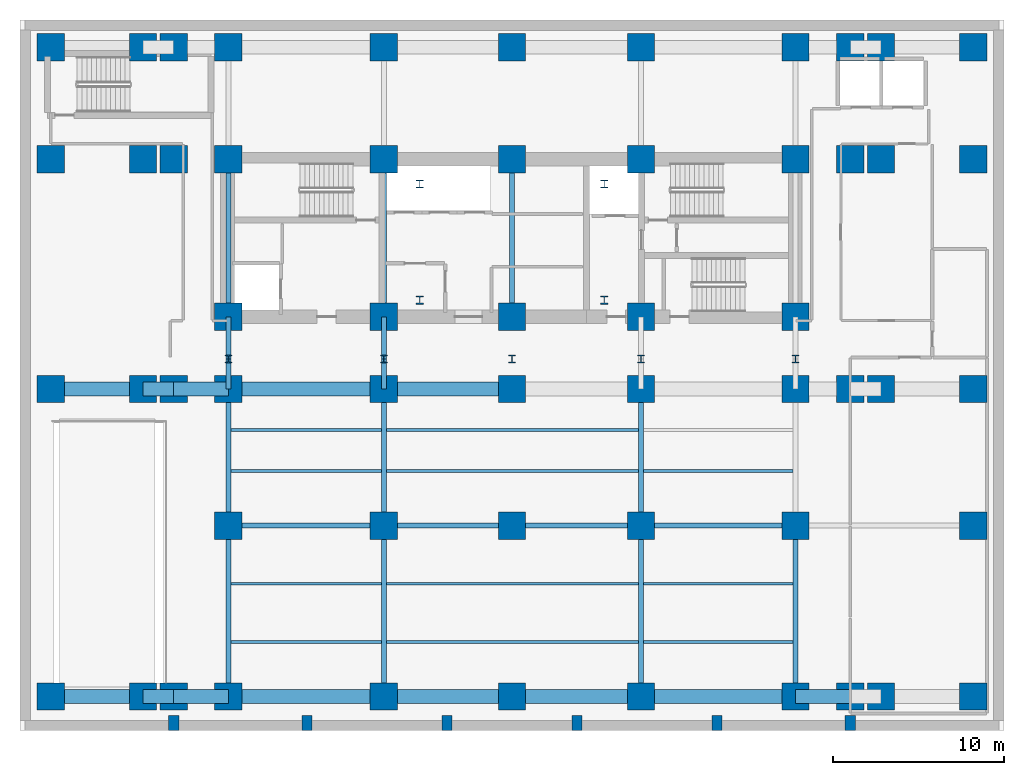
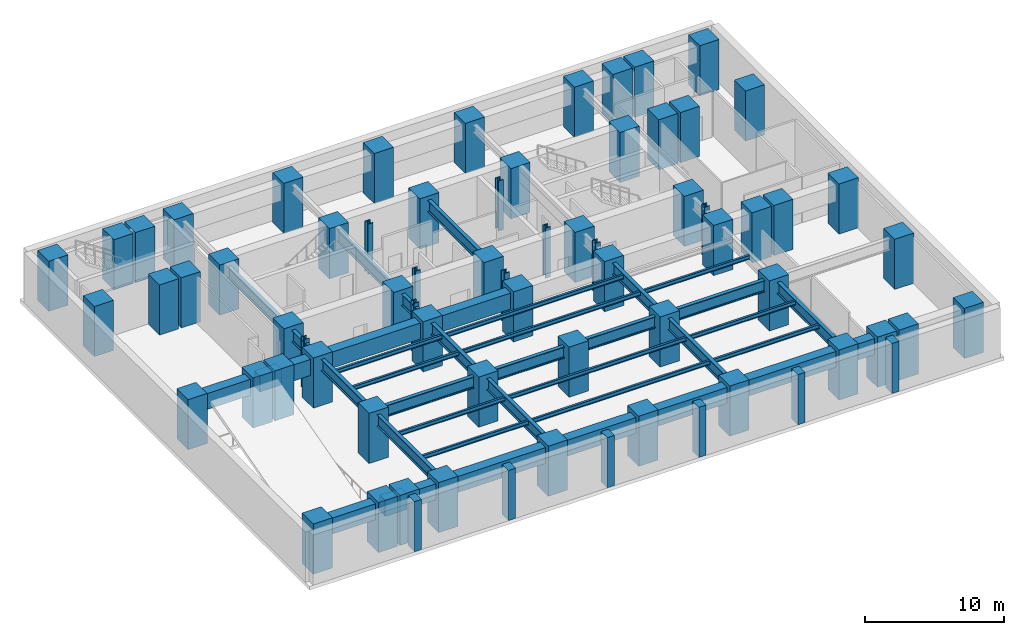
# One storey, part 1 of 8: 70 columns, 41 beams.
"""IFC4 building model written with IfcOpenShell, lengths in metres."""

from ifc_helpers import new_model, si_unit, direction, frame, origin, origin_2d, place, context, subcontext, project, spatial, rectangle, i_section, extrude, material, material_profile, profile_set, type_object, element, save


model = new_model("IFC4")

# Units and contexts
model_context = context("Model", 3, precision=1e-05, world=origin(), true_north=direction((0.0, 1.0)))
body_context = subcontext(model_context, "Body", "Model", "MODEL_VIEW")
ifc_project = project(units=[si_unit("LENGTHUNIT", "METRE"), si_unit("AREAUNIT", "SQUARE_METRE"), si_unit("VOLUMEUNIT", "CUBIC_METRE"), si_unit("PLANEANGLEUNIT", "RADIAN"), si_unit("MASSUNIT", "GRAM", prefix="KILO")], contexts=[model_context])

# Site, building, storey
site_placement = place(None, origin())
site = spatial("IfcSite", under=ifc_project, at=site_placement, CompositionType="ELEMENT")
building_placement = place(site_placement, origin())
building = spatial("IfcBuilding", under=site, at=building_placement, Name="Zarnavel Station Tower", CompositionType="ELEMENT")
storey_placement = place(building_placement, frame((0.0, 0.0, -4.39990234375)))
storey = spatial("IfcBuildingStorey", under=building, at=storey_placement, Name="B01", CompositionType="ELEMENT", Elevation=-4.39990234375)

# Columns
ifc_material_1 = material(Name="Steel S460M", Category="steel")
ifc_material_profile_1 = material_profile(ifc_material_1, i_section(OverallWidth=0.41796875, OverallDepth=0.48095703125, WebThickness=0.04345703125, FlangeThickness=0.068115234375, FilletRadius=0.014892578125, at=origin_2d()), Name="HD400x677")
ifc_profile_set_1 = profile_set([ifc_material_profile_1], Name="Steel S460M")
column_type_1 = type_object("IfcColumnType", Name="IC_HD677", PredefinedType="COLUMN", material=ifc_profile_set_1)
for number, where, z_axis, x_axis, name in (
    (1, (23.39990234375, 28.800048828125, 0.0), (0.0, 0.0, 1.0), (1.0, 0.0, 0.0), "B01 Mast Spine Column 1"),
    (2, (34.199951171875, 28.800048828125, 0.0), (0.0, 0.0, 1.0), (1.0, 0.0, 0.0), "B01 Mast Spine Column 2"),
    (3, (34.199951171875, 35.60009765625, 0.0), (0.0, 0.0, 1.0), (1.0, 0.0, 0.0), "B01 Mast Spine Column 3"),
    (4, (23.39990234375, 35.60009765625, 0.0), (0.0, 0.0, 1.0), (1.0, 0.0, 0.0), "B01 Mast Spine Column 4"),
    (5, (12.199951171875, 25.35009765625, 0.0), (0.0, 0.0, 1.0), (1.0, 0.0, 0.0), "B01 Inner Spine Column 1"),
    (6, (21.300048828125, 25.35009765625, 0.0), (0.0, 0.0, 1.0), (1.0, 0.0, 0.0), "B01 Inner Spine Column 2"),
    (7, (28.800048828125, 25.35009765625, 0.0), (0.0, 0.0, 1.0), (1.0, 0.0, 0.0), "B01 Inner Spine Column 3"),
    (8, (36.35009765625, 25.35009765625, 0.0), (0.0, 0.0, 1.0), (1.0, 0.0, 0.0), "B01 Inner Spine Column 4"),
    (9, (45.39990234375, 25.35009765625, 0.0), (0.0, 0.0, 1.0), (1.0, 0.0, 0.0), "B01 Inner Spine Column 5"),
):
    element("IfcColumn", number, at=place(storey_placement, frame(where, z_axis=z_axis, x_axis=x_axis)), inside=storey, type_object=column_type_1, Name=name, PredefinedType="COLUMN", context=body_context, shape_type="SweptSolid", body=[
        extrude(i_section(OverallWidth=0.41796875, OverallDepth=0.48095703125, WebThickness=0.04345703125, FlangeThickness=0.068115234375, FilletRadius=0.014892578125, at=origin_2d()), origin(), (0.0, 0.0, 1.0), 4.39990234375),
    ])
ifc_material_2 = material(Name="Concrete C60/75", Category="concrete")
ifc_material_profile_2 = material_profile(ifc_material_2, rectangle(XDim=1.60009765625, YDim=1.60009765625, at=origin_2d()), Name="RC1600x1600")
ifc_profile_set_2 = profile_set([ifc_material_profile_2], Name="Concrete C60/75")
column_type_2 = type_object("IfcColumnType", Name="IC_RC1600", PredefinedType="COLUMN", material=ifc_profile_set_2)
for number, where, z_axis, x_axis, name in (
    (10, (12.199951171875, 27.820068359375, 0.0), (0.0, 0.0, 1.0), (1.0, 0.0, 0.0), "B01 Core Spine Column 1-1"),
    (11, (12.199951171875, 37.050048828125, 0.0), (0.0, 0.0, 1.0), (1.0, 0.0, 0.0), "B01 Core Spine Column 1-2"),
    (12, (21.300048828125, 27.820068359375, 0.0), (0.0, 0.0, 1.0), (1.0, 0.0, 0.0), "B01 Core Spine Column 2-1"),
    (13, (21.300048828125, 37.050048828125, 0.0), (0.0, 0.0, 1.0), (1.0, 0.0, 0.0), "B01 Core Spine Column 2-2"),
    (14, (28.800048828125, 27.820068359375, 0.0), (0.0, 0.0, 1.0), (1.0, 0.0, 0.0), "B01 Core Spine Column 3-1"),
    (15, (28.800048828125, 37.050048828125, 0.0), (0.0, 0.0, 1.0), (1.0, 0.0, 0.0), "B01 Core Spine Column 3-2"),
    (16, (36.35009765625, 27.820068359375, 0.0), (0.0, 0.0, 1.0), (1.0, 0.0, 0.0), "B01 Core Spine Column 4-1"),
    (17, (36.35009765625, 37.050048828125, 0.0), (0.0, 0.0, 1.0), (1.0, 0.0, 0.0), "B01 Core Spine Column 4-2"),
    (18, (45.39990234375, 27.820068359375, 0.0), (0.0, 0.0, 1.0), (1.0, 0.0, 0.0), "B01 Core Spine Column 5-1"),
    (19, (45.39990234375, 37.050048828125, 0.0), (0.0, 0.0, 1.0), (1.0, 0.0, 0.0), "B01 Core Spine Column 5-2"),
    (20, (1.800048828125, 5.60009765625, 0.0), (0.0, 0.0, 1.0), (1.0, 0.0, 0.0), "B01 Podium Column 1-1"),
    (21, (1.800048828125, 23.60009765625, 0.0), (0.0, 0.0, 1.0), (1.0, 0.0, 0.0), "B01 Podium Column 1-3"),
    (22, (1.800048828125, 37.050048828125, 0.0), (0.0, 0.0, 1.0), (1.0, 0.0, 0.0), "B01 Podium Column 1-4"),
    (23, (1.800048828125, 43.60009765625, 0.0), (0.0, 0.0, 1.0), (1.0, 0.0, 0.0), "B01 Podium Column 1-5"),
    (24, (7.199951171875, 5.60009765625, 0.0), (0.0, 0.0, 1.0), (1.0, 0.0, 0.0), "B01 Podium Column 2-1"),
    (25, (7.199951171875, 23.60009765625, 0.0), (0.0, 0.0, 1.0), (1.0, 0.0, 0.0), "B01 Podium Column 2-3"),
    (26, (7.199951171875, 37.050048828125, 0.0), (0.0, 0.0, 1.0), (1.0, 0.0, 0.0), "B01 Podium Column 2-4"),
    (27, (7.199951171875, 43.60009765625, 0.0), (0.0, 0.0, 1.0), (1.0, 0.0, 0.0), "B01 Podium Column 2-5"),
    (28, (9.0, 5.60009765625, 0.0), (0.0, 0.0, 1.0), (1.0, 0.0, 0.0), "B01 Podium Column 3-1"),
    (29, (9.0, 23.60009765625, 0.0), (0.0, 0.0, 1.0), (1.0, 0.0, 0.0), "B01 Podium Column 3-3"),
    (30, (9.0, 37.050048828125, 0.0), (0.0, 0.0, 1.0), (1.0, 0.0, 0.0), "B01 Podium Column 3-4"),
    (31, (9.0, 43.60009765625, 0.0), (0.0, 0.0, 1.0), (1.0, 0.0, 0.0), "B01 Podium Column 3-5"),
    (32, (12.199951171875, 5.60009765625, 0.0), (0.0, 0.0, 1.0), (1.0, 0.0, 0.0), "B01 Podium Column 4-1"),
    (33, (12.199951171875, 15.60009765625, 0.0), (0.0, 0.0, 1.0), (1.0, 0.0, 0.0), "B01 Podium Column 4-2"),
    (34, (12.199951171875, 23.60009765625, 0.0), (0.0, 0.0, 1.0), (1.0, 0.0, 0.0), "B01 Podium Column 4-3"),
    (35, (12.199951171875, 43.60009765625, 0.0), (0.0, 0.0, 1.0), (1.0, 0.0, 0.0), "B01 Podium Column 4-5"),
    (36, (21.300048828125, 5.60009765625, 0.0), (0.0, 0.0, 1.0), (1.0, 0.0, 0.0), "B01 Podium Column 5-1"),
    (37, (21.300048828125, 15.60009765625, 0.0), (0.0, 0.0, 1.0), (1.0, 0.0, 0.0), "B01 Podium Column 5-2"),
    (38, (21.300048828125, 23.60009765625, 0.0), (0.0, 0.0, 1.0), (1.0, 0.0, 0.0), "B01 Podium Column 5-3"),
    (39, (21.300048828125, 43.60009765625, 0.0), (0.0, 0.0, 1.0), (1.0, 0.0, 0.0), "B01 Podium Column 5-5"),
    (40, (28.800048828125, 5.60009765625, 0.0), (0.0, 0.0, 1.0), (1.0, 0.0, 0.0), "B01 Podium Column 6-1"),
    (41, (28.800048828125, 15.60009765625, 0.0), (0.0, 0.0, 1.0), (1.0, 0.0, 0.0), "B01 Podium Column 6-2"),
    (42, (28.800048828125, 23.60009765625, 0.0), (0.0, 0.0, 1.0), (1.0, 0.0, 0.0), "B01 Podium Column 6-3"),
    (43, (28.800048828125, 43.60009765625, 0.0), (0.0, 0.0, 1.0), (1.0, 0.0, 0.0), "B01 Podium Column 6-5"),
    (44, (36.35009765625, 5.60009765625, 0.0), (0.0, 0.0, 1.0), (1.0, 0.0, 0.0), "B01 Podium Column 7-1"),
    (45, (36.35009765625, 15.60009765625, 0.0), (0.0, 0.0, 1.0), (1.0, 0.0, 0.0), "B01 Podium Column 7-2"),
    (46, (36.35009765625, 23.60009765625, 0.0), (0.0, 0.0, 1.0), (1.0, 0.0, 0.0), "B01 Podium Column 7-3"),
    (47, (36.35009765625, 43.60009765625, 0.0), (0.0, 0.0, 1.0), (1.0, 0.0, 0.0), "B01 Podium Column 7-5"),
    (48, (45.39990234375, 5.60009765625, 0.0), (0.0, 0.0, 1.0), (1.0, 0.0, 0.0), "B01 Podium Column 8-1"),
    (49, (45.39990234375, 15.60009765625, 0.0), (0.0, 0.0, 1.0), (1.0, 0.0, 0.0), "B01 Podium Column 8-2"),
    (50, (45.39990234375, 23.60009765625, 0.0), (0.0, 0.0, 1.0), (1.0, 0.0, 0.0), "B01 Podium Column 8-3"),
    (51, (45.39990234375, 43.60009765625, 0.0), (0.0, 0.0, 1.0), (1.0, 0.0, 0.0), "B01 Podium Column 8-5"),
    (52, (48.60009765625, 5.60009765625, 0.0), (0.0, 0.0, 1.0), (1.0, 0.0, 0.0), "B01 Podium Column 9-1"),
    (53, (48.60009765625, 23.60009765625, 0.0), (0.0, 0.0, 1.0), (1.0, 0.0, 0.0), "B01 Podium Column 9-3"),
    (54, (48.60009765625, 37.050048828125, 0.0), (0.0, 0.0, 1.0), (1.0, 0.0, 0.0), "B01 Podium Column 9-4"),
    (55, (48.60009765625, 43.60009765625, 0.0), (0.0, 0.0, 1.0), (1.0, 0.0, 0.0), "B01 Podium Column 9-5"),
    (56, (50.39990234375, 5.60009765625, 0.0), (0.0, 0.0, 1.0), (1.0, 0.0, 0.0), "B01 Podium Column 10-1"),
    (57, (50.39990234375, 23.60009765625, 0.0), (0.0, 0.0, 1.0), (1.0, 0.0, 0.0), "B01 Podium Column 10-3"),
    (58, (50.39990234375, 37.050048828125, 0.0), (0.0, 0.0, 1.0), (1.0, 0.0, 0.0), "B01 Podium Column 10-4"),
    (59, (50.39990234375, 43.60009765625, 0.0), (0.0, 0.0, 1.0), (1.0, 0.0, 0.0), "B01 Podium Column 10-5"),
    (60, (55.800048828125, 5.60009765625, 0.0), (0.0, 0.0, 1.0), (1.0, 0.0, 0.0), "B01 Podium Column 11-1"),
    (61, (55.800048828125, 15.60009765625, 0.0), (0.0, 0.0, 1.0), (1.0, 0.0, 0.0), "B01 Podium Column 11-2"),
    (62, (55.800048828125, 23.60009765625, 0.0), (0.0, 0.0, 1.0), (1.0, 0.0, 0.0), "B01 Podium Column 11-3"),
    (63, (55.800048828125, 37.050048828125, 0.0), (0.0, 0.0, 1.0), (1.0, 0.0, 0.0), "B01 Podium Column 11-4"),
    (64, (55.800048828125, 43.60009765625, 0.0), (0.0, 0.0, 1.0), (1.0, 0.0, 0.0), "B01 Podium Column 11-5"),
):
    element("IfcColumn", number, at=place(storey_placement, frame(where, z_axis=z_axis, x_axis=x_axis)), inside=storey, type_object=column_type_2, Name=name, PredefinedType="COLUMN", context=body_context, shape_type="SweptSolid", body=[
        extrude(rectangle(XDim=1.60009765625, YDim=1.60009765625, at=origin_2d()), origin(), (0.0, 0.0, 1.0), 4.39990234375),
    ])
ifc_material_3 = material(Name="Precast concrete C45/55", Category="concrete")
ifc_material_profile_3 = material_profile(ifc_material_3, rectangle(XDim=0.60009765625, YDim=0.89990234375, at=origin_2d()), Name="RC600x900")
ifc_profile_set_3 = profile_set([ifc_material_profile_3], Name="Precast concrete C45/55")
column_type_3 = type_object("IfcColumnType", Name="PL_BASALT", PredefinedType="PILASTER", material=ifc_profile_set_3)
for number, where, z_axis, x_axis, name in (
    (65, (9.0, 4.050048828125, 0.0), (0.0, 0.0, 1.0), (1.0, 0.0, 0.0), "B01 Basalt Facade Pilaster S1"),
    (66, (16.800048828125, 4.050048828125, 0.0), (0.0, 0.0, 1.0), (1.0, 0.0, 0.0), "B01 Basalt Facade Pilaster S2"),
    (67, (25.0, 4.050048828125, 0.0), (0.0, 0.0, 1.0), (1.0, 0.0, 0.0), "B01 Basalt Facade Pilaster S3"),
    (68, (32.60009765625, 4.050048828125, 0.0), (0.0, 0.0, 1.0), (1.0, 0.0, 0.0), "B01 Basalt Facade Pilaster S4"),
    (69, (40.800048828125, 4.050048828125, 0.0), (0.0, 0.0, 1.0), (1.0, 0.0, 0.0), "B01 Basalt Facade Pilaster S5"),
    (70, (48.60009765625, 4.050048828125, 0.0), (0.0, 0.0, 1.0), (1.0, 0.0, 0.0), "B01 Basalt Facade Pilaster S6"),
):
    element("IfcColumn", number, at=place(storey_placement, frame(where, z_axis=z_axis, x_axis=x_axis)), inside=storey, type_object=column_type_3, Name=name, PredefinedType="PILASTER", context=body_context, shape_type="SweptSolid", body=[
        extrude(rectangle(XDim=0.60009765625, YDim=0.89990234375, at=origin_2d()), origin(), (0.0, 0.0, 1.0), 4.39990234375),
    ])

# Beams
ifc_material_4 = material(Name="Concrete C45/55", Category="concrete")
ifc_material_profile_4 = material_profile(ifc_material_4, rectangle(XDim=0.800048828125, YDim=1.39990234375, at=origin_2d()), Name="RC800x1400")
ifc_profile_set_4 = profile_set([ifc_material_profile_4], Name="Concrete C45/55")
beam_type_1 = type_object("IfcBeamType", Name="FG_RC800x1400", PredefinedType="USERDEFINED", material=ifc_profile_set_4)
beam_1_placement = place(storey_placement, frame((1.800048828125, 5.60009765625, 3.349853515625), z_axis=(1.0, 0.0, 0.0), x_axis=(0.0, 1.0, 0.0)))
element("IfcBeam", 71, at=beam_1_placement, inside=storey, type_object=beam_type_1, Name="B01 EW Frame Girder 1-1", ObjectType="GIRDER", PredefinedType="USERDEFINED", context=body_context, shape_type="SweptSolid", body=[
    extrude(rectangle(XDim=0.800048828125, YDim=1.39990234375, at=origin_2d()), origin(), (0.0, 0.0, 1.0), 5.39990234375),
])
beam_2_placement = place(storey_placement, frame((7.199951171875, 5.60009765625, 3.349853515625), z_axis=(1.0, 0.0, 0.0), x_axis=(0.0, 1.0, 0.0)))
element("IfcBeam", 72, at=beam_2_placement, inside=storey, type_object=beam_type_1, Name="B01 EW Frame Girder 1-2", ObjectType="GIRDER", PredefinedType="USERDEFINED", context=body_context, shape_type="SweptSolid", body=[
    extrude(rectangle(XDim=0.800048828125, YDim=1.39990234375, at=origin_2d()), origin(), (0.0, 0.0, 1.0), 1.800048828125),
])
beam_3_placement = place(storey_placement, frame((9.0, 5.60009765625, 3.349853515625), z_axis=(1.0, 0.0, 0.0), x_axis=(0.0, 1.0, 0.0)))
element("IfcBeam", 73, at=beam_3_placement, inside=storey, type_object=beam_type_1, Name="B01 EW Frame Girder 1-3", ObjectType="GIRDER", PredefinedType="USERDEFINED", context=body_context, shape_type="SweptSolid", body=[
    extrude(rectangle(XDim=0.800048828125, YDim=1.39990234375, at=origin_2d()), origin(), (0.0, 0.0, 1.0), 3.199951171875),
])
beam_4_placement = place(storey_placement, frame((12.199951171875, 5.60009765625, 3.349853515625), z_axis=(1.0, 0.0, 0.0), x_axis=(0.0, 1.0, 0.0)))
element("IfcBeam", 74, at=beam_4_placement, inside=storey, type_object=beam_type_1, Name="B01 EW Frame Girder 1-4", ObjectType="GIRDER", PredefinedType="USERDEFINED", context=body_context, shape_type="SweptSolid", body=[
    extrude(rectangle(XDim=0.800048828125, YDim=1.39990234375, at=origin_2d()), origin(), (0.0, 0.0, 1.0), 9.10009765625),
])
beam_5_placement = place(storey_placement, frame((21.300048828125, 5.60009765625, 3.349853515625), z_axis=(1.0, 0.0, 0.0), x_axis=(0.0, 1.0, 0.0)))
element("IfcBeam", 75, at=beam_5_placement, inside=storey, type_object=beam_type_1, Name="B01 EW Frame Girder 1-5", ObjectType="GIRDER", PredefinedType="USERDEFINED", context=body_context, shape_type="SweptSolid", body=[
    extrude(rectangle(XDim=0.800048828125, YDim=1.39990234375, at=origin_2d()), origin(), (0.0, 0.0, 1.0), 7.5),
])
beam_6_placement = place(storey_placement, frame((28.800048828125, 5.60009765625, 3.349853515625), z_axis=(1.0, 0.0, 0.0), x_axis=(0.0, 1.0, 0.0)))
element("IfcBeam", 76, at=beam_6_placement, inside=storey, type_object=beam_type_1, Name="B01 EW Frame Girder 1-6", ObjectType="GIRDER", PredefinedType="USERDEFINED", context=body_context, shape_type="SweptSolid", body=[
    extrude(rectangle(XDim=0.800048828125, YDim=1.39990234375, at=origin_2d()), origin(), (0.0, 0.0, 1.0), 7.550048828125),
])
beam_7_placement = place(storey_placement, frame((36.35009765625, 5.60009765625, 3.349853515625), z_axis=(1.0, 0.0, 0.0), x_axis=(0.0, 1.0, 0.0)))
element("IfcBeam", 77, at=beam_7_placement, inside=storey, type_object=beam_type_1, Name="B01 EW Frame Girder 1-7", ObjectType="GIRDER", PredefinedType="USERDEFINED", context=body_context, shape_type="SweptSolid", body=[
    extrude(rectangle(XDim=0.800048828125, YDim=1.39990234375, at=origin_2d()), origin(), (0.0, 0.0, 1.0), 9.0498046875),
])
beam_8_placement = place(storey_placement, frame((45.39990234375, 5.60009765625, 3.349853515625), z_axis=(1.0, 0.0, 0.0), x_axis=(0.0, 1.0, 0.0)))
element("IfcBeam", 78, at=beam_8_placement, inside=storey, type_object=beam_type_1, Name="B01 EW Frame Girder 1-8", ObjectType="GIRDER", PredefinedType="USERDEFINED", context=body_context, shape_type="SweptSolid", body=[
    extrude(rectangle(XDim=0.800048828125, YDim=1.39990234375, at=origin_2d()), origin(), (0.0, 0.0, 1.0), 3.2001953125),
])
beam_9_placement = place(storey_placement, frame((1.800048828125, 23.60009765625, 3.349853515625), z_axis=(1.0, 0.0, 0.0), x_axis=(0.0, 1.0, 0.0)))
element("IfcBeam", 79, at=beam_9_placement, inside=storey, type_object=beam_type_1, Name="B01 EW Frame Girder 2-1", ObjectType="GIRDER", PredefinedType="USERDEFINED", context=body_context, shape_type="SweptSolid", body=[
    extrude(rectangle(XDim=0.800048828125, YDim=1.39990234375, at=origin_2d()), origin(), (0.0, 0.0, 1.0), 5.39990234375),
])
beam_10_placement = place(storey_placement, frame((7.199951171875, 23.60009765625, 3.349853515625), z_axis=(1.0, 0.0, 0.0), x_axis=(0.0, 1.0, 0.0)))
element("IfcBeam", 80, at=beam_10_placement, inside=storey, type_object=beam_type_1, Name="B01 EW Frame Girder 2-2", ObjectType="GIRDER", PredefinedType="USERDEFINED", context=body_context, shape_type="SweptSolid", body=[
    extrude(rectangle(XDim=0.800048828125, YDim=1.39990234375, at=origin_2d()), origin(), (0.0, 0.0, 1.0), 1.800048828125),
])
beam_11_placement = place(storey_placement, frame((9.0, 23.60009765625, 3.349853515625), z_axis=(1.0, 0.0, 0.0), x_axis=(0.0, 1.0, 0.0)))
element("IfcBeam", 81, at=beam_11_placement, inside=storey, type_object=beam_type_1, Name="B01 EW Frame Girder 2-3", ObjectType="GIRDER", PredefinedType="USERDEFINED", context=body_context, shape_type="SweptSolid", body=[
    extrude(rectangle(XDim=0.800048828125, YDim=1.39990234375, at=origin_2d()), origin(), (0.0, 0.0, 1.0), 3.199951171875),
])
beam_12_placement = place(storey_placement, frame((12.199951171875, 23.60009765625, 3.349853515625), z_axis=(1.0, 0.0, 0.0), x_axis=(0.0, 1.0, 0.0)))
element("IfcBeam", 82, at=beam_12_placement, inside=storey, type_object=beam_type_1, Name="B01 EW Frame Girder 2-4", ObjectType="GIRDER", PredefinedType="USERDEFINED", context=body_context, shape_type="SweptSolid", body=[
    extrude(rectangle(XDim=0.800048828125, YDim=1.39990234375, at=origin_2d()), origin(), (0.0, 0.0, 1.0), 9.10009765625),
])
beam_13_placement = place(storey_placement, frame((21.300048828125, 23.60009765625, 3.349853515625), z_axis=(1.0, 0.0, 0.0), x_axis=(0.0, 1.0, 0.0)))
element("IfcBeam", 83, at=beam_13_placement, inside=storey, type_object=beam_type_1, Name="B01 EW Frame Girder 2-5", ObjectType="GIRDER", PredefinedType="USERDEFINED", context=body_context, shape_type="SweptSolid", body=[
    extrude(rectangle(XDim=0.800048828125, YDim=1.39990234375, at=origin_2d()), origin(), (0.0, 0.0, 1.0), 7.5),
])
ifc_material_5 = material(Name="Steel S355J2", Category="steel")
ifc_material_profile_5 = material_profile(ifc_material_5, i_section(OverallWidth=0.169921875, OverallDepth=0.360107421875, WebThickness=0.008056640625, FlangeThickness=0.0126953125, FilletRadius=0.01806640625, at=origin_2d()), Name="IPE360")
ifc_profile_set_5 = profile_set([ifc_material_profile_5], Name="Steel S355J2")
beam_type_2 = type_object("IfcBeamType", Name="FJ_IPE360", PredefinedType="JOIST", material=ifc_profile_set_5)
beam_14_placement = place(storey_placement, frame((12.344970703125, 8.800048828125, 3.869873046875), z_axis=(1.0, 0.0, 0.0), x_axis=(0.0, 1.0, 0.0)))
element("IfcBeam", 84, at=beam_14_placement, inside=storey, type_object=beam_type_2, Name="B01 Floor Joist W1", PredefinedType="JOIST", context=body_context, shape_type="SweptSolid", body=[
    extrude(i_section(OverallWidth=0.169921875, OverallDepth=0.360107421875, WebThickness=0.008056640625, FlangeThickness=0.0126953125, FilletRadius=0.01806640625, at=origin_2d()), origin(), (0.0, 0.0, 1.0), 8.81005859375),
])
beam_15_placement = place(storey_placement, frame((21.445068359375, 8.800048828125, 3.869873046875), z_axis=(1.0, 0.0, 0.0), x_axis=(0.0, 1.0, 0.0)))
element("IfcBeam", 85, at=beam_15_placement, inside=storey, type_object=beam_type_2, Name="B01 Floor Joist M1", PredefinedType="JOIST", context=body_context, shape_type="SweptSolid", body=[
    extrude(i_section(OverallWidth=0.169921875, OverallDepth=0.360107421875, WebThickness=0.008056640625, FlangeThickness=0.0126953125, FilletRadius=0.01806640625, at=origin_2d()), origin(), (0.0, 0.0, 1.0), 14.760009765625),
])
beam_16_placement = place(storey_placement, frame((36.4951171875, 8.800048828125, 3.869873046875), z_axis=(1.0, 0.0, 0.0), x_axis=(0.0, 1.0, 0.0)))
element("IfcBeam", 86, at=beam_16_placement, inside=storey, type_object=beam_type_2, Name="B01 Floor Joist E1", PredefinedType="JOIST", context=body_context, shape_type="SweptSolid", body=[
    extrude(i_section(OverallWidth=0.169921875, OverallDepth=0.360107421875, WebThickness=0.008056640625, FlangeThickness=0.0126953125, FilletRadius=0.01806640625, at=origin_2d()), origin(), (0.0, 0.0, 1.0), 8.759765625),
])
beam_17_placement = place(storey_placement, frame((12.344970703125, 12.199951171875, 3.869873046875), z_axis=(1.0, 0.0, 0.0), x_axis=(0.0, 1.0, 0.0)))
element("IfcBeam", 87, at=beam_17_placement, inside=storey, type_object=beam_type_2, Name="B01 Floor Joist W2", PredefinedType="JOIST", context=body_context, shape_type="SweptSolid", body=[
    extrude(i_section(OverallWidth=0.169921875, OverallDepth=0.360107421875, WebThickness=0.008056640625, FlangeThickness=0.0126953125, FilletRadius=0.01806640625, at=origin_2d()), origin(), (0.0, 0.0, 1.0), 8.81005859375),
])
beam_18_placement = place(storey_placement, frame((21.445068359375, 12.199951171875, 3.869873046875), z_axis=(1.0, 0.0, 0.0), x_axis=(0.0, 1.0, 0.0)))
element("IfcBeam", 88, at=beam_18_placement, inside=storey, type_object=beam_type_2, Name="B01 Floor Joist M2", PredefinedType="JOIST", context=body_context, shape_type="SweptSolid", body=[
    extrude(i_section(OverallWidth=0.169921875, OverallDepth=0.360107421875, WebThickness=0.008056640625, FlangeThickness=0.0126953125, FilletRadius=0.01806640625, at=origin_2d()), origin(), (0.0, 0.0, 1.0), 14.760009765625),
])
beam_19_placement = place(storey_placement, frame((36.4951171875, 12.199951171875, 3.869873046875), z_axis=(1.0, 0.0, 0.0), x_axis=(0.0, 1.0, 0.0)))
element("IfcBeam", 89, at=beam_19_placement, inside=storey, type_object=beam_type_2, Name="B01 Floor Joist E2", PredefinedType="JOIST", context=body_context, shape_type="SweptSolid", body=[
    extrude(i_section(OverallWidth=0.169921875, OverallDepth=0.360107421875, WebThickness=0.008056640625, FlangeThickness=0.0126953125, FilletRadius=0.01806640625, at=origin_2d()), origin(), (0.0, 0.0, 1.0), 8.759765625),
])
beam_20_placement = place(storey_placement, frame((12.344970703125, 18.800048828125, 3.869873046875), z_axis=(1.0, 0.0, 0.0), x_axis=(0.0, 1.0, 0.0)))
element("IfcBeam", 90, at=beam_20_placement, inside=storey, type_object=beam_type_2, Name="B01 Floor Joist W3", PredefinedType="JOIST", context=body_context, shape_type="SweptSolid", body=[
    extrude(i_section(OverallWidth=0.169921875, OverallDepth=0.360107421875, WebThickness=0.008056640625, FlangeThickness=0.0126953125, FilletRadius=0.01806640625, at=origin_2d()), origin(), (0.0, 0.0, 1.0), 8.81005859375),
])
beam_21_placement = place(storey_placement, frame((21.445068359375, 18.800048828125, 3.869873046875), z_axis=(1.0, 0.0, 0.0), x_axis=(0.0, 1.0, 0.0)))
element("IfcBeam", 91, at=beam_21_placement, inside=storey, type_object=beam_type_2, Name="B01 Floor Joist M3", PredefinedType="JOIST", context=body_context, shape_type="SweptSolid", body=[
    extrude(i_section(OverallWidth=0.169921875, OverallDepth=0.360107421875, WebThickness=0.008056640625, FlangeThickness=0.0126953125, FilletRadius=0.01806640625, at=origin_2d()), origin(), (0.0, 0.0, 1.0), 14.760009765625),
])
beam_22_placement = place(storey_placement, frame((36.4951171875, 18.800048828125, 3.869873046875), z_axis=(1.0, 0.0, 0.0), x_axis=(0.0, 1.0, 0.0)))
element("IfcBeam", 92, at=beam_22_placement, inside=storey, type_object=beam_type_2, Name="B01 Floor Joist E3", PredefinedType="JOIST", context=body_context, shape_type="SweptSolid", body=[
    extrude(i_section(OverallWidth=0.169921875, OverallDepth=0.360107421875, WebThickness=0.008056640625, FlangeThickness=0.0126953125, FilletRadius=0.01806640625, at=origin_2d()), origin(), (0.0, 0.0, 1.0), 8.759765625),
])
beam_23_placement = place(storey_placement, frame((12.344970703125, 21.199951171875, 3.869873046875), z_axis=(1.0, 0.0, 0.0), x_axis=(0.0, 1.0, 0.0)))
element("IfcBeam", 93, at=beam_23_placement, inside=storey, type_object=beam_type_2, Name="B01 Floor Joist W4", PredefinedType="JOIST", context=body_context, shape_type="SweptSolid", body=[
    extrude(i_section(OverallWidth=0.169921875, OverallDepth=0.360107421875, WebThickness=0.008056640625, FlangeThickness=0.0126953125, FilletRadius=0.01806640625, at=origin_2d()), origin(), (0.0, 0.0, 1.0), 8.81005859375),
])
beam_24_placement = place(storey_placement, frame((21.445068359375, 21.199951171875, 3.869873046875), z_axis=(1.0, 0.0, 0.0), x_axis=(0.0, 1.0, 0.0)))
element("IfcBeam", 94, at=beam_24_placement, inside=storey, type_object=beam_type_2, Name="B01 Floor Joist M4", PredefinedType="JOIST", context=body_context, shape_type="SweptSolid", body=[
    extrude(i_section(OverallWidth=0.169921875, OverallDepth=0.360107421875, WebThickness=0.008056640625, FlangeThickness=0.0126953125, FilletRadius=0.01806640625, at=origin_2d()), origin(), (0.0, 0.0, 1.0), 14.760009765625),
])
ifc_material_6 = material(Name="Steel S460M", Category="steel")
ifc_material_profile_6 = material_profile(ifc_material_6, i_section(OverallWidth=0.302001953125, OverallDepth=1.008056640625, WebThickness=0.02099609375, FlangeThickness=0.0400390625, FilletRadius=0.030029296875, at=origin_2d()), Name="HEM1000")
ifc_profile_set_6 = profile_set([ifc_material_profile_6], Name="Steel S460M")
beam_type_3 = type_object("IfcBeamType", Name="TG_HEM1000", PredefinedType="USERDEFINED", material=ifc_profile_set_6)
for number, where, z_axis, x_axis, name in (
    (95, (12.199951171875, 27.820068359375, 3.5458984375), (0.0, 1.0, 0.0), (-1.0, 0.0, 0.0), "B01 Core Spine Coupling Girder 1"),
    (96, (21.300048828125, 27.820068359375, 3.5458984375), (0.0, 1.0, 0.0), (-1.0, 0.0, 0.0), "B01 Core Spine Coupling Girder 2"),
    (97, (28.800048828125, 27.820068359375, 3.5458984375), (0.0, 1.0, 0.0), (-1.0, 0.0, 0.0), "B01 Core Spine Coupling Girder 3"),
):
    element("IfcBeam", number, at=place(storey_placement, frame(where, z_axis=z_axis, x_axis=x_axis)), inside=storey, type_object=beam_type_3, Name=name, ObjectType="GIRDER", PredefinedType="USERDEFINED", context=body_context, shape_type="SweptSolid", body=[
        extrude(i_section(OverallWidth=0.302001953125, OverallDepth=1.008056640625, WebThickness=0.02099609375, FlangeThickness=0.0400390625, FilletRadius=0.030029296875, at=origin_2d()), origin(), (0.0, 0.0, 1.0), 9.22998046875),
    ])
beam_25_placement = place(storey_placement, frame((12.199951171875, 5.60009765625, 3.5458984375), z_axis=(0.0, 1.0, 0.0), x_axis=(-1.0, 0.0, 0.0)))
element("IfcBeam", 98, at=beam_25_placement, inside=storey, type_object=beam_type_3, Name="B01 NS Girder South 1", ObjectType="GIRDER", PredefinedType="USERDEFINED", context=body_context, shape_type="SweptSolid", body=[
    extrude(i_section(OverallWidth=0.302001953125, OverallDepth=1.008056640625, WebThickness=0.02099609375, FlangeThickness=0.0400390625, FilletRadius=0.030029296875, at=origin_2d()), origin(), (0.0, 0.0, 1.0), 10.0),
])
beam_26_placement = place(storey_placement, frame((12.199951171875, 15.60009765625, 3.5458984375), z_axis=(0.0, 1.0, 0.0), x_axis=(-1.0, 0.0, 0.0)))
element("IfcBeam", 99, at=beam_26_placement, inside=storey, type_object=beam_type_3, Name="B01 NS Girder Mid 1", ObjectType="GIRDER", PredefinedType="USERDEFINED", context=body_context, shape_type="SweptSolid", body=[
    extrude(i_section(OverallWidth=0.302001953125, OverallDepth=1.008056640625, WebThickness=0.02099609375, FlangeThickness=0.0400390625, FilletRadius=0.030029296875, at=origin_2d()), origin(), (0.0, 0.0, 1.0), 8.0),
])
beam_27_placement = place(storey_placement, frame((12.199951171875, 23.60009765625, 3.5458984375), z_axis=(0.0, 1.0, 0.0), x_axis=(-1.0, 0.0, 0.0)))
element("IfcBeam", 100, at=beam_27_placement, inside=storey, type_object=beam_type_3, Name="B01 NS Girder Spine 1", ObjectType="GIRDER", PredefinedType="USERDEFINED", context=body_context, shape_type="SweptSolid", body=[
    extrude(i_section(OverallWidth=0.302001953125, OverallDepth=1.008056640625, WebThickness=0.02099609375, FlangeThickness=0.0400390625, FilletRadius=0.030029296875, at=origin_2d()), origin(), (0.0, 0.0, 1.0), 1.75),
])
beam_28_placement = place(storey_placement, frame((12.199951171875, 25.35009765625, 3.5458984375), z_axis=(0.0, 1.0, 0.0), x_axis=(-1.0, 0.0, 0.0)))
element("IfcBeam", 101, at=beam_28_placement, inside=storey, type_object=beam_type_3, Name="B01 NS Girder Core 1", ObjectType="GIRDER", PredefinedType="USERDEFINED", context=body_context, shape_type="SweptSolid", body=[
    extrude(i_section(OverallWidth=0.302001953125, OverallDepth=1.008056640625, WebThickness=0.02099609375, FlangeThickness=0.0400390625, FilletRadius=0.030029296875, at=origin_2d()), origin(), (0.0, 0.0, 1.0), 2.469970703125),
])
beam_29_placement = place(storey_placement, frame((21.300048828125, 5.60009765625, 3.5458984375), z_axis=(0.0, 1.0, 0.0), x_axis=(-1.0, 0.0, 0.0)))
element("IfcBeam", 102, at=beam_29_placement, inside=storey, type_object=beam_type_3, Name="B01 NS Girder South 2", ObjectType="GIRDER", PredefinedType="USERDEFINED", context=body_context, shape_type="SweptSolid", body=[
    extrude(i_section(OverallWidth=0.302001953125, OverallDepth=1.008056640625, WebThickness=0.02099609375, FlangeThickness=0.0400390625, FilletRadius=0.030029296875, at=origin_2d()), origin(), (0.0, 0.0, 1.0), 10.0),
])
beam_30_placement = place(storey_placement, frame((21.300048828125, 15.60009765625, 3.5458984375), z_axis=(0.0, 1.0, 0.0), x_axis=(-1.0, 0.0, 0.0)))
element("IfcBeam", 103, at=beam_30_placement, inside=storey, type_object=beam_type_3, Name="B01 NS Girder Mid 2", ObjectType="GIRDER", PredefinedType="USERDEFINED", context=body_context, shape_type="SweptSolid", body=[
    extrude(i_section(OverallWidth=0.302001953125, OverallDepth=1.008056640625, WebThickness=0.02099609375, FlangeThickness=0.0400390625, FilletRadius=0.030029296875, at=origin_2d()), origin(), (0.0, 0.0, 1.0), 8.0),
])
beam_31_placement = place(storey_placement, frame((21.300048828125, 23.60009765625, 3.5458984375), z_axis=(0.0, 1.0, 0.0), x_axis=(-1.0, 0.0, 0.0)))
element("IfcBeam", 104, at=beam_31_placement, inside=storey, type_object=beam_type_3, Name="B01 NS Girder Spine 2", ObjectType="GIRDER", PredefinedType="USERDEFINED", context=body_context, shape_type="SweptSolid", body=[
    extrude(i_section(OverallWidth=0.302001953125, OverallDepth=1.008056640625, WebThickness=0.02099609375, FlangeThickness=0.0400390625, FilletRadius=0.030029296875, at=origin_2d()), origin(), (0.0, 0.0, 1.0), 1.75),
])
beam_32_placement = place(storey_placement, frame((21.300048828125, 25.35009765625, 3.5458984375), z_axis=(0.0, 1.0, 0.0), x_axis=(-1.0, 0.0, 0.0)))
element("IfcBeam", 105, at=beam_32_placement, inside=storey, type_object=beam_type_3, Name="B01 NS Girder Core 2", ObjectType="GIRDER", PredefinedType="USERDEFINED", context=body_context, shape_type="SweptSolid", body=[
    extrude(i_section(OverallWidth=0.302001953125, OverallDepth=1.008056640625, WebThickness=0.02099609375, FlangeThickness=0.0400390625, FilletRadius=0.030029296875, at=origin_2d()), origin(), (0.0, 0.0, 1.0), 2.469970703125),
])
beam_33_placement = place(storey_placement, frame((36.35009765625, 5.60009765625, 3.5458984375), z_axis=(0.0, 1.0, 0.0), x_axis=(-1.0, 0.0, 0.0)))
element("IfcBeam", 106, at=beam_33_placement, inside=storey, type_object=beam_type_3, Name="B01 NS Girder South 3", ObjectType="GIRDER", PredefinedType="USERDEFINED", context=body_context, shape_type="SweptSolid", body=[
    extrude(i_section(OverallWidth=0.302001953125, OverallDepth=1.008056640625, WebThickness=0.02099609375, FlangeThickness=0.0400390625, FilletRadius=0.030029296875, at=origin_2d()), origin(), (0.0, 0.0, 1.0), 10.0),
])
beam_34_placement = place(storey_placement, frame((36.35009765625, 15.60009765625, 3.5458984375), z_axis=(0.0, 1.0, 0.0), x_axis=(-1.0, 0.0, 0.0)))
element("IfcBeam", 107, at=beam_34_placement, inside=storey, type_object=beam_type_3, Name="B01 NS Girder Mid 3", ObjectType="GIRDER", PredefinedType="USERDEFINED", context=body_context, shape_type="SweptSolid", body=[
    extrude(i_section(OverallWidth=0.302001953125, OverallDepth=1.008056640625, WebThickness=0.02099609375, FlangeThickness=0.0400390625, FilletRadius=0.030029296875, at=origin_2d()), origin(), (0.0, 0.0, 1.0), 8.0),
])
beam_35_placement = place(storey_placement, frame((45.39990234375, 5.60009765625, 3.5458984375), z_axis=(0.0, 1.0, 0.0), x_axis=(-1.0, 0.0, 0.0)))
element("IfcBeam", 108, at=beam_35_placement, inside=storey, type_object=beam_type_3, Name="B01 NS Girder South 4", ObjectType="GIRDER", PredefinedType="USERDEFINED", context=body_context, shape_type="SweptSolid", body=[
    extrude(i_section(OverallWidth=0.302001953125, OverallDepth=1.008056640625, WebThickness=0.02099609375, FlangeThickness=0.0400390625, FilletRadius=0.030029296875, at=origin_2d()), origin(), (0.0, 0.0, 1.0), 10.0),
])
beam_36_placement = place(storey_placement, frame((12.199951171875, 15.60009765625, 3.5458984375), z_axis=(1.0, 0.0, 0.0), x_axis=(0.0, 1.0, 0.0)))
element("IfcBeam", 109, at=beam_36_placement, inside=storey, type_object=beam_type_3, Name="B01 West Hall Girder", ObjectType="GIRDER", PredefinedType="USERDEFINED", context=body_context, shape_type="SweptSolid", body=[
    extrude(i_section(OverallWidth=0.302001953125, OverallDepth=1.008056640625, WebThickness=0.02099609375, FlangeThickness=0.0400390625, FilletRadius=0.030029296875, at=origin_2d()), origin(), (0.0, 0.0, 1.0), 9.10009765625),
])
beam_37_placement = place(storey_placement, frame((21.300048828125, 15.60009765625, 3.5458984375), z_axis=(1.0, 0.0, 0.0), x_axis=(0.0, 1.0, 0.0)))
element("IfcBeam", 110, at=beam_37_placement, inside=storey, type_object=beam_type_3, Name="B01 Concourse Long-Span Girder", ObjectType="GIRDER", PredefinedType="USERDEFINED", context=body_context, shape_type="SweptSolid", body=[
    extrude(i_section(OverallWidth=0.302001953125, OverallDepth=1.008056640625, WebThickness=0.02099609375, FlangeThickness=0.0400390625, FilletRadius=0.030029296875, at=origin_2d()), origin(), (0.0, 0.0, 1.0), 15.050048828125),
])
beam_38_placement = place(storey_placement, frame((36.35009765625, 15.60009765625, 3.5458984375), z_axis=(1.0, 0.0, 0.0), x_axis=(0.0, 1.0, 0.0)))
element("IfcBeam", 111, at=beam_38_placement, inside=storey, type_object=beam_type_3, Name="B01 East Hall Inner Girder", ObjectType="GIRDER", PredefinedType="USERDEFINED", context=body_context, shape_type="SweptSolid", body=[
    extrude(i_section(OverallWidth=0.302001953125, OverallDepth=1.008056640625, WebThickness=0.02099609375, FlangeThickness=0.0400390625, FilletRadius=0.030029296875, at=origin_2d()), origin(), (0.0, 0.0, 1.0), 9.0498046875),
])

save(model, "model.ifc")
